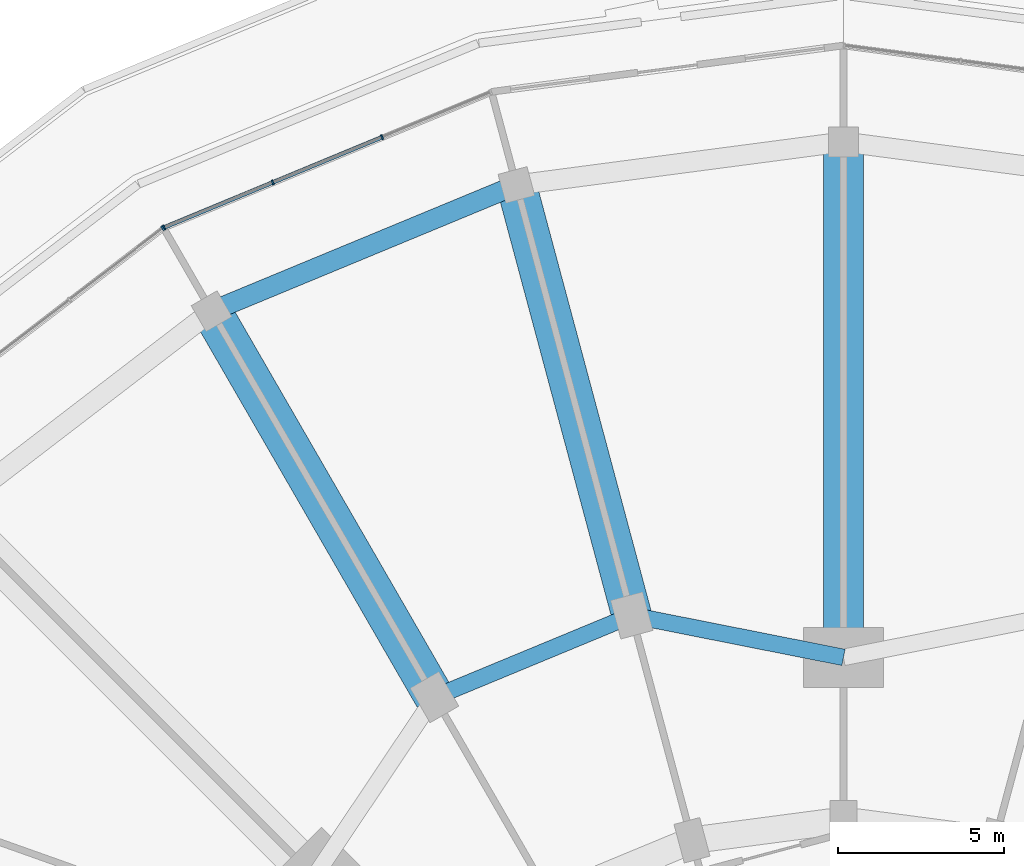
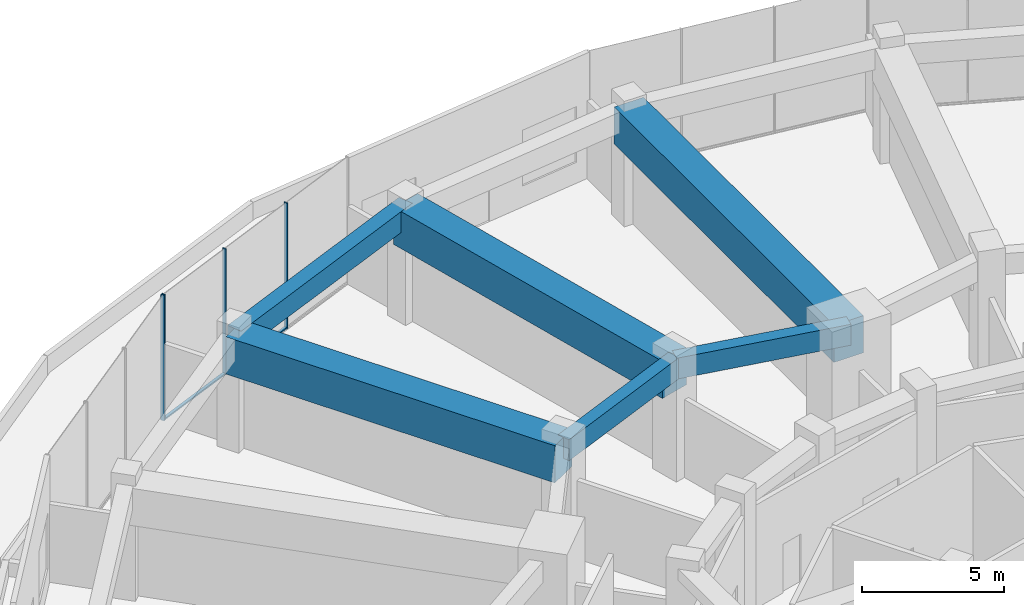
# One storey, part 15 of 30: 6 beams, 6 members, 2 elements without a shape of their own.
"""IFC4 building model written with IfcOpenShell, lengths in metres."""

from ifc_helpers import new_model, si_unit, direction, frame, origin, origin_2d, place, context, subcontext, project, spatial, rectangle, extrude, material, layer, layer_set, material_profile, profile_set, type_object, element, aggregate, save


model = new_model("IFC4")

# Units and contexts
model_context = context("Model", 3, precision=1e-05, world=origin(), true_north=direction((0.0, 1.0)))
body_context = subcontext(model_context, "Body", "Model", "MODEL_VIEW")
ifc_project = project(units=[si_unit("LENGTHUNIT", "METRE"), si_unit("AREAUNIT", "SQUARE_METRE"), si_unit("VOLUMEUNIT", "CUBIC_METRE"), si_unit("PLANEANGLEUNIT", "RADIAN"), si_unit("MASSUNIT", "GRAM", prefix="KILO")], contexts=[model_context])

# Site, building, storey
site_placement = place(None, origin())
site = spatial("IfcSite", under=ifc_project, at=site_placement, CompositionType="ELEMENT")
building_placement = place(site_placement, origin())
building = spatial("IfcBuilding", under=site, at=building_placement, Name="Torre Brocal", CompositionType="ELEMENT")
storey_placement = place(building_placement, frame((0.0, 0.0, 7.0)))
storey = spatial("IfcBuildingStorey", under=building, at=storey_placement, Name="L01", CompositionType="ELEMENT", Elevation=7.0)

# Curtain wall, members
ifc_material_1 = material(Name="Aluminium and glass", Category="aluminium")
ifc_layer = layer(ifc_material_1, 0.199951171875)
ifc_layer_set = layer_set([ifc_layer], Name="Aluminium and glass")
curtain_wall_type = type_object("IfcCurtainWallType", Name="CW-3 CURTAIN WALL 5400 HIGH", PredefinedType="NOTDEFINED", material=ifc_layer_set)
curtain_wall_1_placement = place(storey_placement, origin())
curtain_wall_1 = element("IfcCurtainWall", 1, at=curtain_wall_1_placement, inside=storey, type_object=curtain_wall_type, Name="CW-3 RUN 8", PredefinedType="NOTDEFINED")
ifc_material_2 = material(Name="Aluminium, dark anodised", Category="aluminium")
ifc_material_profile_1 = material_profile(ifc_material_2, rectangle(XDim=0.14990234375, YDim=0.050048828125, at=origin_2d()), Name="CW-3 MULLION 50X150")
ifc_profile_set_1 = profile_set([ifc_material_profile_1], Name="Aluminium, dark anodised")
member_type_1 = type_object("IfcMemberType", Name="CW-3 MULLION 50X150", PredefinedType="MULLION", material=ifc_profile_set_1)
member_1_placement = place(storey_placement, frame((66.12646484375, 113.1435546875, 0.0), z_axis=(0.0, 0.0, 1.0), x_axis=(0.382683432397, -0.923879532498, 0.0)))
member_1 = element("IfcMember", 2, at=member_1_placement, type_object=member_type_1, Name="CW3-2 mullion 2", PredefinedType="MULLION", context=body_context, shape_type="SweptSolid", body=[
    extrude(rectangle(XDim=0.14990234375, YDim=0.050048828125, at=origin_2d()), origin(), (0.0, 0.0, 1.0), 5.39990234375),
])
member_2_placement = place(storey_placement, frame((62.83837890625, 111.78173828125, 0.0), z_axis=(0.0, 0.0, 1.0), x_axis=(0.382683432397, -0.923879532498, 0.0)))
member_2 = element("IfcMember", 3, at=member_2_placement, type_object=member_type_1, Name="CW3-2 mullion 3", PredefinedType="MULLION", context=body_context, shape_type="SweptSolid", body=[
    extrude(rectangle(XDim=0.14990234375, YDim=0.050048828125, at=origin_2d()), origin(), (0.0, 0.0, 1.0), 5.39990234375),
])
member_3_placement = place(storey_placement, frame((59.573486328125, 110.42919921875, 0.0), z_axis=(0.0, 0.0, 1.0), x_axis=(0.382683432397, -0.923879532498, 0.0)))
member_3 = element("IfcMember", 4, at=member_3_placement, type_object=member_type_1, Name="CW3-2 mullion 4", PredefinedType="MULLION", context=body_context, shape_type="SweptSolid", body=[
    extrude(rectangle(XDim=0.14990234375, YDim=0.050048828125, at=origin_2d()), origin(), (0.0, 0.0, 1.0), 5.39990234375),
])

# Curtain wall, member
curtain_wall_2_placement = place(storey_placement, origin())
curtain_wall_2 = element("IfcCurtainWall", 5, at=curtain_wall_2_placement, inside=storey, type_object=curtain_wall_type, Name="CW-3 RUN 9", PredefinedType="NOTDEFINED")
member_4_placement = place(storey_placement, frame((59.530517578125, 110.404541015625, 0.0), z_axis=(0.0, 0.0, 1.0), x_axis=(0.608761429009, -0.793353340291, 0.0)))
member_4 = element("IfcMember", 6, at=member_4_placement, type_object=member_type_1, Name="CW3-2 mullion 1", PredefinedType="MULLION", context=body_context, shape_type="SweptSolid", body=[
    extrude(rectangle(XDim=0.14990234375, YDim=0.050048828125, at=origin_2d()), origin(), (0.0, 0.0, 1.0), 5.39990234375),
])
aggregate(curtain_wall_2, [member_4])

# Member
ifc_material_3 = material(Name="Aluminium, dark anodised", Category="aluminium")
ifc_material_profile_2 = material_profile(ifc_material_3, rectangle(XDim=0.1201171875, YDim=0.06005859375, at=origin_2d()), Name="CW-3 TRANSOM 120X60")
ifc_profile_set_2 = profile_set([ifc_material_profile_2], Name="Aluminium, dark anodised")
member_type_2 = type_object("IfcMemberType", Name="CW-3 TRANSOM 120X60", PredefinedType="USERDEFINED", material=ifc_profile_set_2)
member_5_placement = place(storey_placement, frame((66.103515625, 113.134033203125, 0.030029296875), z_axis=(-0.923887942392, -0.382663128485, 0.0), x_axis=(0.382663128485, -0.923887942392, 0.0)))
member_5 = element("IfcMember", 7, at=member_5_placement, type_object=member_type_2, Name="CW3-2 transom 2.1", ObjectType="TRANSOM", PredefinedType="USERDEFINED", context=body_context, shape_type="SweptSolid", body=[
    extrude(rectangle(XDim=0.1201171875, YDim=0.06005859375, at=origin_2d()), origin(), (0.0, 0.0, 1.0), 3.509033203125),
])

member_6_placement = place(storey_placement, frame((62.8154296875, 111.77197265625, 0.030029296875), z_axis=(-0.923879324553, -0.382683934419, 0.0), x_axis=(0.382683934419, -0.923879324553, 0.0)))
member_6 = element("IfcMember", 8, at=member_6_placement, type_object=member_type_2, Name="CW3-2 transom 3.1", ObjectType="TRANSOM", PredefinedType="USERDEFINED", context=body_context, shape_type="SweptSolid", body=[
    extrude(rectangle(XDim=0.1201171875, YDim=0.06005859375, at=origin_2d()), origin(), (0.0, 0.0, 1.0), 3.48388671875),
])

aggregate(curtain_wall_1, [member_1, member_2, member_3, member_5, member_6])

# Beams
ifc_material_4 = material(Name="Concrete C50", Category="concrete")
ifc_material_profile_3 = material_profile(ifc_material_4, rectangle(XDim=0.60009765625, YDim=0.89990234375, at=origin_2d()), Name="RC 600X900")
ifc_profile_set_3 = profile_set([ifc_material_profile_3], Name="Concrete C50")
beam_type_1 = type_object("IfcBeamType", Name="RC BEAM 600X900 C50 TOP 4950", PredefinedType="BEAM", material=ifc_profile_set_3)
beam_1_placement = place(storey_placement, frame((70.164794921875, 111.705078125, 4.5), z_axis=(-0.923880950116, -0.382680009946, 0.0), x_axis=(0.382680009946, -0.923880950116, 0.0)))
element("IfcBeam", 9, at=beam_1_placement, inside=storey, type_object=beam_type_1, Name="Beam BT-10", PredefinedType="BEAM", context=body_context, shape_type="SweptSolid", body=[
    extrude(rectangle(XDim=0.60009765625, YDim=0.89990234375, at=origin_2d()), origin(), (0.0, 0.0, 1.0), 9.919921875),
])
ifc_material_5 = material(Name="Concrete C50", Category="concrete")
ifc_material_profile_4 = material_profile(ifc_material_5, rectangle(XDim=0.5, YDim=0.89990234375, at=origin_2d()), Name="RC 500X900")
ifc_profile_set_4 = profile_set([ifc_material_profile_4], Name="Concrete C50")
beam_type_2 = type_object("IfcBeamType", Name="RC SPANDREL BEAM 500X900 C50 TOP 4950", PredefinedType="SPANDREL", material=ifc_profile_set_4)
beam_2_placement = place(storey_placement, frame((80.0, 97.5, 4.5), z_axis=(-0.980924907484, 0.194387051723, 0.0), x_axis=(-0.194387051723, -0.980924907484, 0.0)))
element("IfcBeam", 10, at=beam_2_placement, inside=storey, type_object=beam_type_2, Name="Beam BT-12", PredefinedType="SPANDREL", context=body_context, shape_type="SweptSolid", body=[
    extrude(rectangle(XDim=0.5, YDim=0.89990234375, at=origin_2d()), origin(), (0.0, 0.0, 1.0), 6.49072265625),
])
beam_3_placement = place(storey_placement, frame((73.633056640625, 98.76171875, 4.5), z_axis=(-0.923882462513, -0.382676358639, 0.0), x_axis=(0.382676358639, -0.923882462513, 0.0)))
element("IfcBeam", 11, at=beam_3_placement, inside=storey, type_object=beam_type_2, Name="Beam BT-12", PredefinedType="SPANDREL", context=body_context, shape_type="SweptSolid", body=[
    extrude(rectangle(XDim=0.5, YDim=0.89990234375, at=origin_2d()), origin(), (0.0, 0.0, 1.0), 6.421875),
])
ifc_material_6 = material(Name="Concrete C60", Category="concrete")
ifc_material_profile_5 = material_profile(ifc_material_6, rectangle(XDim=1.199951171875, YDim=1.60009765625, at=origin_2d()), Name="RC 1200X1600")
ifc_profile_set_5 = profile_set([ifc_material_profile_5], Name="Concrete C60")
beam_type_3 = type_object("IfcBeamType", Name="RC TRANSFER GIRDER 1200X1600 C60 TOP 4950", PredefinedType="BEAM", material=ifc_profile_set_5)
for number, where, z_axis, x_axis, name in (
    (12, (67.699951171875, 96.30419921875, 4.14990234375), (-0.499997399001, 0.866026905467, 0.0), (-0.866026905467, -0.499997399001, 0.0), "Beam TG-02"),
    (13, (73.633056640625, 98.76171875, 4.14990234375), (-0.258825940132, 0.965923978745, 0.0), (-0.965923978745, -0.258825940132, 0.0), "Beam TG-02"),
):
    element("IfcBeam", number, at=place(storey_placement, frame(where, z_axis=z_axis, x_axis=x_axis)), inside=storey, type_object=beam_type_3, Name=name, PredefinedType="BEAM", context=body_context, shape_type="SweptSolid", body=[
        extrude(rectangle(XDim=1.199951171875, YDim=1.60009765625, at=origin_2d()), origin(), (0.0, 0.0, 1.0), 13.39990234375),
    ])
beam_4_placement = place(storey_placement, frame((80.0, 97.5, 4.14990234375), z_axis=(0.0, 1.0, 0.0), x_axis=(-1.0, 0.0, 0.0)))
element("IfcBeam", 14, at=beam_4_placement, inside=storey, type_object=beam_type_3, Name="Beam TG-02", PredefinedType="BEAM", context=body_context, shape_type="SweptSolid", body=[
    extrude(rectangle(XDim=1.199951171875, YDim=1.60009765625, at=origin_2d()), origin(), (0.0, 0.0, 1.0), 15.5),
])

save(model, "model.ifc")
